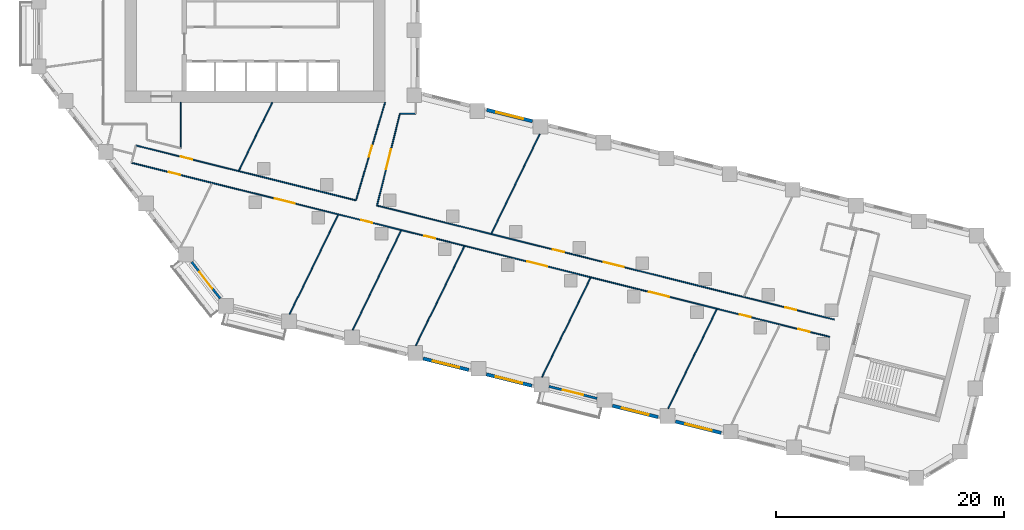
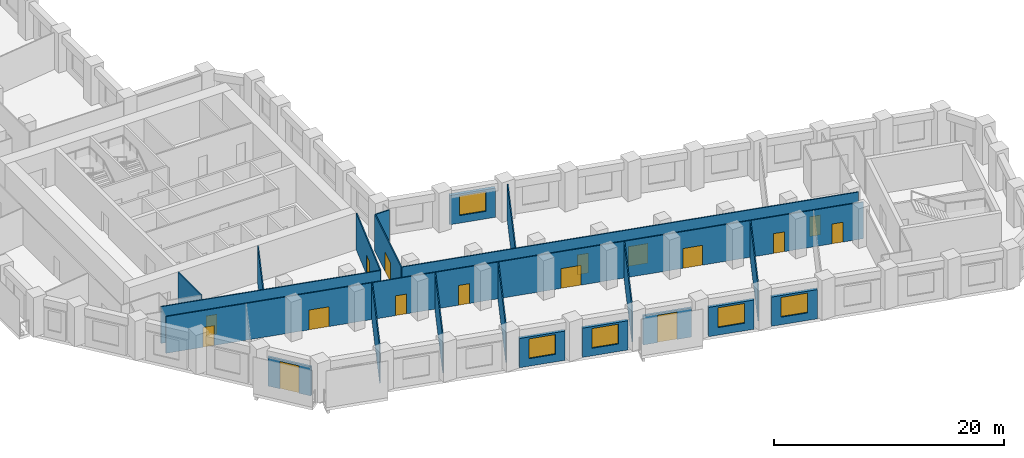
# One storey, part 3 of 11: 21 walls, 16 doors, 5 windows, 21 openings.
"""IFC4 building model written with IfcOpenShell, lengths in metres."""

from ifc_helpers import new_model, si_unit, direction, frame, frame_2d, origin, place, context, subcontext, project, spatial, rectangle, extrude, material, layer, layer_set, type_object, element, fill, save


model = new_model("IFC4")

# Units and contexts
model_context = context("Model", 3, precision=1e-05, world=origin(), true_north=direction((0.0, 1.0)))
body_context = subcontext(model_context, "Body", "Model", "MODEL_VIEW")
ifc_project = project(units=[si_unit("LENGTHUNIT", "METRE"), si_unit("AREAUNIT", "SQUARE_METRE"), si_unit("VOLUMEUNIT", "CUBIC_METRE"), si_unit("PLANEANGLEUNIT", "RADIAN"), si_unit("MASSUNIT", "GRAM", prefix="KILO")], contexts=[model_context])

# Site, building, storey
site_placement = place(None, origin())
site = spatial("IfcSite", under=ifc_project, at=site_placement, CompositionType="ELEMENT")
building_placement = place(site_placement, origin())
building = spatial("IfcBuilding", under=site, at=building_placement, Name="Meshkara Civic Tower", CompositionType="ELEMENT")
storey_placement = place(building_placement, frame((0.0, 0.0, 101.39990234375)))
storey = spatial("IfcBuildingStorey", under=building, at=storey_placement, Name="L22", CompositionType="ELEMENT", Elevation=101.39990234375)

# Wall, openings, doors
ifc_material_1 = material(Name="Corridor wall 100")
ifc_layer_1 = layer(ifc_material_1, 0.10009765625)
ifc_layer_set_1 = layer_set([ifc_layer_1], Name="Corridor wall 100")
wall_type_1 = type_object("IfcWallType", Name="Corridor wall 100", PredefinedType="PARTITIONING", material=ifc_layer_set_1)
wall_1_placement = place(storey_placement, frame((8.5791015625, 8.802978515625, 0.0), z_axis=(0.0, 0.0, 1.0), x_axis=(0.9702968999, -0.241917188404, 0.0)))
wall_1 = element("IfcWall", 1, at=wall_1_placement, inside=storey, type_object=wall_type_1, Name="L22-W006", PredefinedType="PARTITIONING", context=body_context, shape_type="SweptSolid", body=[
    extrude(rectangle(XDim=63.075439453125, YDim=0.10009765625, at=frame_2d((31.53759765625, 0.0))), origin(), (0.0, 0.0, 1.0), 3.900146484375),
])
opening_1_placement = place(wall_1_placement, frame((35.743896484375, 0.0, 0.0)))
opening_1 = element("IfcOpeningElement", 2, at=opening_1_placement, cuts=wall_1, Name="Opening L22-D002", PredefinedType="OPENING", context=body_context, shape_type="SweptSolid", body=[
    extrude(rectangle(XDim=1.800048828125, YDim=2.10009765625, at=frame_2d((0.89990234375, 1.050048828125))), frame((0.0, 0.06005859375, 0.0), z_axis=(0.0, -1.0, 0.0), x_axis=(1.0, 0.0, 0.0)), (0.0, 0.0, 1.0), 0.1201171875),
])
opening_2_placement = place(wall_1_placement, frame((46.743896484375, 0.0, 0.0)))
opening_2 = element("IfcOpeningElement", 3, at=opening_2_placement, cuts=wall_1, Name="Opening L22-D004", PredefinedType="OPENING", context=body_context, shape_type="SweptSolid", body=[
    extrude(rectangle(XDim=1.800048828125, YDim=2.10009765625, at=frame_2d((0.89990234375, 1.050048828125))), frame((0.0, 0.06005859375, 0.0), z_axis=(0.0, -1.0, 0.0), x_axis=(1.0, 0.0, 0.0)), (0.0, 0.0, 1.0), 0.1201171875),
])
opening_3_placement = place(wall_1_placement, frame((54.945068359375, 0.0, 0.0)))
opening_3 = element("IfcOpeningElement", 4, at=opening_3_placement, cuts=wall_1, Name="Opening L22-D005", PredefinedType="OPENING", context=body_context, shape_type="SweptSolid", body=[
    extrude(rectangle(XDim=1.0, YDim=2.10009765625, at=frame_2d((0.5, 1.050048828125))), frame((0.0, 0.06005859375, 0.0), z_axis=(0.0, -1.0, 0.0), x_axis=(1.0, 0.0, 0.0)), (0.0, 0.0, 1.0), 0.1201171875),
])
opening_4_placement = place(wall_1_placement, frame((60.243896484375, 0.0, 0.0)))
opening_4 = element("IfcOpeningElement", 5, at=opening_4_placement, cuts=wall_1, Name="Opening L22-D007", PredefinedType="OPENING", context=body_context, shape_type="SweptSolid", body=[
    extrude(rectangle(XDim=1.0, YDim=2.10009765625, at=frame_2d((0.5, 1.050048828125))), frame((0.0, 0.06005859375, 0.0), z_axis=(0.0, -1.0, 0.0), x_axis=(1.0, 0.0, 0.0)), (0.0, 0.0, 1.0), 0.1201171875),
])
opening_5_placement = place(wall_1_placement, frame((12.944091796875, 0.0, 0.0)))
opening_5 = element("IfcOpeningElement", 6, at=opening_5_placement, cuts=wall_1, Name="Opening L22-D008", PredefinedType="OPENING", context=body_context, shape_type="SweptSolid", body=[
    extrude(rectangle(XDim=1.800048828125, YDim=2.10009765625, at=frame_2d((0.89990234375, 1.050048828125))), frame((0.0, 0.06005859375, 0.0), z_axis=(0.0, -1.0, 0.0), x_axis=(1.0, 0.0, 0.0)), (0.0, 0.0, 1.0), 0.1201171875),
])
opening_6_placement = place(wall_1_placement, frame((20.743896484375, 0.0, 0.0)))
opening_6 = element("IfcOpeningElement", 7, at=opening_6_placement, cuts=wall_1, Name="Opening L22-D009", PredefinedType="OPENING", context=body_context, shape_type="SweptSolid", body=[
    extrude(rectangle(XDim=1.0, YDim=2.10009765625, at=frame_2d((0.5, 1.050048828125))), frame((0.0, 0.06005859375, 0.0), z_axis=(0.0, -1.0, 0.0), x_axis=(1.0, 0.0, 0.0)), (0.0, 0.0, 1.0), 0.1201171875),
])
opening_7_placement = place(wall_1_placement, frame((26.444091796875, 0.0, 0.0)))
opening_7 = element("IfcOpeningElement", 8, at=opening_7_placement, cuts=wall_1, Name="Opening L22-D010", PredefinedType="OPENING", context=body_context, shape_type="SweptSolid", body=[
    extrude(rectangle(XDim=1.0, YDim=2.10009765625, at=frame_2d((0.5, 1.050048828125))), frame((0.0, 0.06005859375, 0.0), z_axis=(0.0, -1.0, 0.0), x_axis=(1.0, 0.0, 0.0)), (0.0, 0.0, 1.0), 0.1201171875),
])
opening_8_placement = place(wall_1_placement, frame((3.3798828125, 0.0, 0.0)))
opening_8 = element("IfcOpeningElement", 9, at=opening_8_placement, cuts=wall_1, Name="Opening L22-D014", PredefinedType="OPENING", context=body_context, shape_type="SweptSolid", body=[
    extrude(rectangle(XDim=1.0, YDim=2.10009765625, at=frame_2d((0.5, 1.050048828125))), frame((0.0, 0.06005859375, 0.0), z_axis=(0.0, -1.0, 0.0), x_axis=(1.0, 0.0, 0.0)), (0.0, 0.0, 1.0), 0.1201171875),
])
ifc_material_2 = material(Name="Door 1000 x 2100")
door_type_1 = type_object("IfcDoorType", Name="Door 1000 x 2100", OperationType="SINGLE_SWING_LEFT", PredefinedType="DOOR", material=ifc_material_2)
door_1_placement = place(opening_3_placement, origin())
door_1 = element("IfcDoor", 10, at=door_1_placement, inside=storey, type_object=door_type_1, Name="L22-D005", OperationType="SINGLE_SWING_RIGHT", OverallHeight=2.10009765625, OverallWidth=1.0, PredefinedType="DOOR", context=body_context, shape_type="SweptSolid", body=[
    extrude(rectangle(XDim=1.0, YDim=2.10009765625, at=frame_2d((0.5, 1.050048828125))), frame((0.0, 0.02490234375, 0.0), z_axis=(0.0, -1.0, 0.0), x_axis=(1.0, 0.0, 0.0)), (0.0, 0.0, 1.0), 0.050048828125),
])
fill(opening_3, door_1)
door_2_placement = place(opening_4_placement, origin())
door_2 = element("IfcDoor", 11, at=door_2_placement, inside=storey, type_object=door_type_1, Name="L22-D007", OperationType="SINGLE_SWING_RIGHT", OverallHeight=2.10009765625, OverallWidth=1.0, PredefinedType="DOOR", context=body_context, shape_type="SweptSolid", body=[
    extrude(rectangle(XDim=1.0, YDim=2.10009765625, at=frame_2d((0.5, 1.050048828125))), frame((0.0, 0.02490234375, 0.0), z_axis=(0.0, -1.0, 0.0), x_axis=(1.0, 0.0, 0.0)), (0.0, 0.0, 1.0), 0.050048828125),
])
fill(opening_4, door_2)
door_3_placement = place(opening_6_placement, origin())
door_3 = element("IfcDoor", 12, at=door_3_placement, inside=storey, type_object=door_type_1, Name="L22-D009", OperationType="SINGLE_SWING_RIGHT", OverallHeight=2.10009765625, OverallWidth=1.0, PredefinedType="DOOR", context=body_context, shape_type="SweptSolid", body=[
    extrude(rectangle(XDim=1.0, YDim=2.10009765625, at=frame_2d((0.5, 1.050048828125))), frame((0.0, 0.02490234375, 0.0), z_axis=(0.0, -1.0, 0.0), x_axis=(1.0, 0.0, 0.0)), (0.0, 0.0, 1.0), 0.050048828125),
])
fill(opening_6, door_3)
door_4_placement = place(opening_7_placement, origin())
door_4 = element("IfcDoor", 13, at=door_4_placement, inside=storey, type_object=door_type_1, Name="L22-D010", OperationType="SINGLE_SWING_RIGHT", OverallHeight=2.10009765625, OverallWidth=1.0, PredefinedType="DOOR", context=body_context, shape_type="SweptSolid", body=[
    extrude(rectangle(XDim=1.0, YDim=2.10009765625, at=frame_2d((0.5, 1.050048828125))), frame((0.0, 0.02490234375, 0.0), z_axis=(0.0, -1.0, 0.0), x_axis=(1.0, 0.0, 0.0)), (0.0, 0.0, 1.0), 0.050048828125),
])
fill(opening_7, door_4)
door_5_placement = place(opening_8_placement, origin())
door_5 = element("IfcDoor", 14, at=door_5_placement, inside=storey, type_object=door_type_1, Name="L22-D014", OperationType="SINGLE_SWING_LEFT", OverallHeight=2.10009765625, OverallWidth=1.0, PredefinedType="DOOR", context=body_context, shape_type="SweptSolid", body=[
    extrude(rectangle(XDim=1.0, YDim=2.10009765625, at=frame_2d((0.5, 1.050048828125))), frame((0.0, 0.02490234375, 0.0), z_axis=(0.0, -1.0, 0.0), x_axis=(1.0, 0.0, 0.0)), (0.0, 0.0, 1.0), 0.050048828125),
])
fill(opening_8, door_5)
ifc_material_3 = material(Name="Door pair 1800 x 2100")
door_type_2 = type_object("IfcDoorType", Name="Door pair 1800 x 2100", OperationType="SINGLE_SWING_LEFT", PredefinedType="DOOR", material=ifc_material_3)
door_6_placement = place(opening_1_placement, origin())
door_6 = element("IfcDoor", 15, at=door_6_placement, inside=storey, type_object=door_type_2, Name="L22-D002", OperationType="DOUBLE_DOOR_SINGLE_SWING", OverallHeight=2.10009765625, OverallWidth=1.800048828125, PredefinedType="DOOR", context=body_context, shape_type="SweptSolid", body=[
    extrude(rectangle(XDim=1.800048828125, YDim=2.10009765625, at=frame_2d((0.89990234375, 1.050048828125))), frame((0.0, 0.02490234375, 0.0), z_axis=(0.0, -1.0, 0.0), x_axis=(1.0, 0.0, 0.0)), (0.0, 0.0, 1.0), 0.050048828125),
])
fill(opening_1, door_6)
door_7_placement = place(opening_2_placement, origin())
door_7 = element("IfcDoor", 16, at=door_7_placement, inside=storey, type_object=door_type_2, Name="L22-D004", OperationType="DOUBLE_DOOR_SINGLE_SWING", OverallHeight=2.10009765625, OverallWidth=1.800048828125, PredefinedType="DOOR", context=body_context, shape_type="SweptSolid", body=[
    extrude(rectangle(XDim=1.800048828125, YDim=2.10009765625, at=frame_2d((0.89990234375, 1.050048828125))), frame((0.0, 0.02490234375, 0.0), z_axis=(0.0, -1.0, 0.0), x_axis=(1.0, 0.0, 0.0)), (0.0, 0.0, 1.0), 0.050048828125),
])
fill(opening_2, door_7)
door_8_placement = place(opening_5_placement, origin())
door_8 = element("IfcDoor", 17, at=door_8_placement, inside=storey, type_object=door_type_2, Name="L22-D008", OperationType="DOUBLE_DOOR_SINGLE_SWING", OverallHeight=2.10009765625, OverallWidth=1.800048828125, PredefinedType="DOOR", context=body_context, shape_type="SweptSolid", body=[
    extrude(rectangle(XDim=1.800048828125, YDim=2.10009765625, at=frame_2d((0.89990234375, 1.050048828125))), frame((0.0, 0.02490234375, 0.0), z_axis=(0.0, -1.0, 0.0), x_axis=(1.0, 0.0, 0.0)), (0.0, 0.0, 1.0), 0.050048828125),
])
fill(opening_5, door_8)

# Wall, opening, door
wall_2_placement = place(storey_placement, frame((8.9580078125, 10.322998046875, 0.0), z_axis=(0.0, 0.0, 1.0), x_axis=(0.970298340477, -0.241911410372, 0.0)))
wall_2 = element("IfcWall", 18, at=wall_2_placement, inside=storey, type_object=wall_type_1, Name="L22-W007", PredefinedType="PARTITIONING", context=body_context, shape_type="SweptSolid", body=[
    extrude(rectangle(XDim=19.879638671875, YDim=0.10009765625, at=frame_2d((9.93994140625, 0.0))), origin(), (0.0, 0.0, 1.0), 3.900146484375),
])
opening_9_placement = place(wall_2_placement, frame((4.080078125, 0.0, 0.0)))
opening_9 = element("IfcOpeningElement", 19, at=opening_9_placement, cuts=wall_2, Name="Opening L22-D015", PredefinedType="OPENING", context=body_context, shape_type="SweptSolid", body=[
    extrude(rectangle(XDim=1.0, YDim=2.10009765625, at=frame_2d((0.5, 1.050048828125))), frame((0.0, 0.06005859375, 0.0), z_axis=(0.0, -1.0, 0.0), x_axis=(1.0, 0.0, 0.0)), (0.0, 0.0, 1.0), 0.1201171875),
])
door_9_placement = place(opening_9_placement, origin())
door_9 = element("IfcDoor", 20, at=door_9_placement, inside=storey, type_object=door_type_1, Name="L22-D015", OperationType="SINGLE_SWING_LEFT", OverallHeight=2.10009765625, OverallWidth=1.0, PredefinedType="DOOR", context=body_context, shape_type="SweptSolid", body=[
    extrude(rectangle(XDim=1.0, YDim=2.10009765625, at=frame_2d((0.5, 1.050048828125))), frame((0.0, 0.02490234375, 0.0), z_axis=(0.0, -1.0, 0.0), x_axis=(1.0, 0.0, 0.0)), (0.0, 0.0, 1.0), 0.050048828125),
])
fill(opening_9, door_9)

# Wall
wall_3_placement = place(storey_placement, frame((12.89990234375, 10.077880859375, 0.0), z_axis=(0.0, 0.0, 1.0), x_axis=(0.0, 1.0, 0.0)))
element("IfcWall", 21, at=wall_3_placement, inside=storey, type_object=wall_type_1, Name="L22-W014", PredefinedType="PARTITIONING", context=body_context, shape_type="SweptSolid", body=[
    extrude(rectangle(XDim=4.022216796875, YDim=0.10009765625, at=frame_2d((2.01123046875, 0.0))), origin(), (0.0, 0.0, 1.0), 3.900146484375),
])

# Wall, openings, doors
wall_4_placement = place(storey_placement, frame((30.091064453125, 5.053955078125, 0.0), z_axis=(0.0, 0.0, 1.0), x_axis=(0.970297406124, -0.241915157999, 0.0)))
wall_4 = element("IfcWall", 22, at=wall_4_placement, inside=storey, type_object=wall_type_1, Name="L22-W020", PredefinedType="PARTITIONING", context=body_context, shape_type="SweptSolid", body=[
    extrude(rectangle(XDim=41.29541015625, YDim=0.10009765625, at=frame_2d((20.647705078125, 0.0))), origin(), (0.0, 0.0, 1.0), 3.900146484375),
])
opening_10_placement = place(wall_4_placement, frame((20.488037109375, 0.0, 0.0)))
opening_10 = element("IfcOpeningElement", 23, at=opening_10_placement, cuts=wall_4, Name="Opening L22-D003", PredefinedType="OPENING", context=body_context, shape_type="SweptSolid", body=[
    extrude(rectangle(XDim=1.800048828125, YDim=2.10009765625, at=frame_2d((0.89990234375, 1.050048828125))), frame((0.0, 0.06005859375, 0.0), z_axis=(0.0, -1.0, 0.0), x_axis=(1.0, 0.0, 0.0)), (0.0, 0.0, 1.0), 0.1201171875),
])
opening_11_placement = place(wall_4_placement, frame((36.886962890625, 0.0, 0.0)))
opening_11 = element("IfcOpeningElement", 24, at=opening_11_placement, cuts=wall_4, Name="Opening L22-D006", PredefinedType="OPENING", context=body_context, shape_type="SweptSolid", body=[
    extrude(rectangle(XDim=1.0, YDim=2.10009765625, at=frame_2d((0.5, 1.050048828125))), frame((0.0, 0.06005859375, 0.0), z_axis=(0.0, -1.0, 0.0), x_axis=(1.0, 0.0, 0.0)), (0.0, 0.0, 1.0), 0.1201171875),
])
opening_12_placement = place(wall_4_placement, frame((15.887939453125, 0.0, 0.0)))
opening_12 = element("IfcOpeningElement", 25, at=opening_12_placement, cuts=wall_4, Name="Opening L22-D011", PredefinedType="OPENING", context=body_context, shape_type="SweptSolid", body=[
    extrude(rectangle(XDim=1.0, YDim=2.10009765625, at=frame_2d((0.5, 1.050048828125))), frame((0.0, 0.06005859375, 0.0), z_axis=(0.0, -1.0, 0.0), x_axis=(1.0, 0.0, 0.0)), (0.0, 0.0, 1.0), 0.1201171875),
])
door_10_placement = place(opening_11_placement, origin())
door_10 = element("IfcDoor", 26, at=door_10_placement, inside=storey, type_object=door_type_1, Name="L22-D006", OperationType="SINGLE_SWING_RIGHT", OverallHeight=2.10009765625, OverallWidth=1.0, PredefinedType="DOOR", context=body_context, shape_type="SweptSolid", body=[
    extrude(rectangle(XDim=1.0, YDim=2.10009765625, at=frame_2d((0.5, 1.050048828125))), frame((0.0, 0.02490234375, 0.0), z_axis=(0.0, -1.0, 0.0), x_axis=(1.0, 0.0, 0.0)), (0.0, 0.0, 1.0), 0.050048828125),
])
fill(opening_11, door_10)
door_11_placement = place(opening_12_placement, origin())
door_11 = element("IfcDoor", 27, at=door_11_placement, inside=storey, type_object=door_type_1, Name="L22-D011", OperationType="SINGLE_SWING_LEFT", OverallHeight=2.10009765625, OverallWidth=1.0, PredefinedType="DOOR", context=body_context, shape_type="SweptSolid", body=[
    extrude(rectangle(XDim=1.0, YDim=2.10009765625, at=frame_2d((0.5, 1.050048828125))), frame((0.0, 0.02490234375, 0.0), z_axis=(0.0, -1.0, 0.0), x_axis=(1.0, 0.0, 0.0)), (0.0, 0.0, 1.0), 0.050048828125),
])
fill(opening_12, door_11)
door_12_placement = place(opening_10_placement, origin())
door_12 = element("IfcDoor", 28, at=door_12_placement, inside=storey, type_object=door_type_2, Name="L22-D003", OperationType="DOUBLE_DOOR_SINGLE_SWING", OverallHeight=2.10009765625, OverallWidth=1.800048828125, PredefinedType="DOOR", context=body_context, shape_type="SweptSolid", body=[
    extrude(rectangle(XDim=1.800048828125, YDim=2.10009765625, at=frame_2d((0.89990234375, 1.050048828125))), frame((0.0, 0.02490234375, 0.0), z_axis=(0.0, -1.0, 0.0), x_axis=(1.0, 0.0, 0.0)), (0.0, 0.0, 1.0), 0.050048828125),
])
fill(opening_10, door_12)

# Wall, opening, door
wall_5_placement = place(storey_placement, frame((30.091064453125, 5.053955078125, 0.0), z_axis=(0.0, 0.0, 1.0), x_axis=(0.241891322374, 0.970303348526, 0.0)))
wall_5 = element("IfcWall", 29, at=wall_5_placement, inside=storey, type_object=wall_type_1, Name="L22-W021", PredefinedType="PARTITIONING", context=body_context, shape_type="SweptSolid", body=[
    extrude(rectangle(XDim=8.29248046875, YDim=0.10009765625, at=frame_2d((4.146240234375, 0.0))), origin(), (0.0, 0.0, 1.0), 3.900146484375),
])
opening_13_placement = place(wall_5_placement, frame((3.280029296875, 0.0, 0.0)))
opening_13 = element("IfcOpeningElement", 30, at=opening_13_placement, cuts=wall_5, Name="Opening L22-D017", PredefinedType="OPENING", context=body_context, shape_type="SweptSolid", body=[
    extrude(rectangle(XDim=1.800048828125, YDim=2.10009765625, at=frame_2d((0.89990234375, 1.050048828125))), frame((0.0, 0.06005859375, 0.0), z_axis=(0.0, -1.0, 0.0), x_axis=(1.0, 0.0, 0.0)), (0.0, 0.0, 1.0), 0.1201171875),
])
door_13_placement = place(opening_13_placement, origin())
door_13 = element("IfcDoor", 31, at=door_13_placement, inside=storey, type_object=door_type_2, Name="L22-D017", OperationType="DOUBLE_DOOR_SINGLE_SWING", OverallHeight=2.10009765625, OverallWidth=1.800048828125, PredefinedType="DOOR", context=body_context, shape_type="SweptSolid", body=[
    extrude(rectangle(XDim=1.800048828125, YDim=2.10009765625, at=frame_2d((0.89990234375, 1.050048828125))), frame((0.0, 0.02490234375, 0.0), z_axis=(0.0, -1.0, 0.0), x_axis=(1.0, 0.0, 0.0)), (0.0, 0.0, 1.0), 0.050048828125),
])
fill(opening_13, door_13)

wall_6_placement = place(storey_placement, frame((30.800048828125, 14.10009765625, 0.0), z_axis=(0.0, 0.0, 1.0), x_axis=(-0.285004107837, -0.958526295162, 0.0)))
wall_6 = element("IfcWall", 32, at=wall_6_placement, inside=storey, type_object=wall_type_1, Name="L22-W022", PredefinedType="PARTITIONING", context=body_context, shape_type="SweptSolid", body=[
    extrude(rectangle(XDim=8.957763671875, YDim=0.10009765625, at=frame_2d((4.47900390625, 0.0))), origin(), (0.0, 0.0, 1.0), 3.900146484375),
])
opening_14_placement = place(wall_6_placement, frame((3.97998046875, 0.0, 0.0)))
opening_14 = element("IfcOpeningElement", 33, at=opening_14_placement, cuts=wall_6, Name="Opening L22-D016", PredefinedType="OPENING", context=body_context, shape_type="SweptSolid", body=[
    extrude(rectangle(XDim=1.0, YDim=2.10009765625, at=frame_2d((0.5, 1.050048828125))), frame((0.0, 0.06005859375, 0.0), z_axis=(0.0, -1.0, 0.0), x_axis=(1.0, 0.0, 0.0)), (0.0, 0.0, 1.0), 0.1201171875),
])
door_14_placement = place(opening_14_placement, origin())
door_14 = element("IfcDoor", 34, at=door_14_placement, inside=storey, type_object=door_type_1, Name="L22-D016", OperationType="SINGLE_SWING_LEFT", OverallHeight=2.10009765625, OverallWidth=1.0, PredefinedType="DOOR", context=body_context, shape_type="SweptSolid", body=[
    extrude(rectangle(XDim=1.0, YDim=2.10009765625, at=frame_2d((0.5, 1.050048828125))), frame((0.0, 0.02490234375, 0.0), z_axis=(0.0, -1.0, 0.0), x_axis=(1.0, 0.0, 0.0)), (0.0, 0.0, 1.0), 0.050048828125),
])
fill(opening_14, door_14)

# Wall
wall_7_placement = place(storey_placement, frame((32.096923828125, 13.10009765625, 0.0), z_axis=(0.0, 0.0, 1.0), x_axis=(1.0, 0.0, 0.0)))
element("IfcWall", 35, at=wall_7_placement, inside=storey, type_object=wall_type_1, Name="L22-W023", PredefinedType="PARTITIONING", context=body_context, shape_type="SweptSolid", body=[
    extrude(rectangle(XDim=1.403076171875, YDim=0.10009765625, at=frame_2d((0.70166015625, 0.0))), origin(), (0.0, 0.0, 1.0), 3.900146484375),
])

# Wall, opening, window
ifc_material_4 = material(Name="Insulated infill panel with bronze anodised aluminium cladding", Category="aluminium")
ifc_layer_2 = layer(ifc_material_4, 0.300048828125)
ifc_layer_set_2 = layer_set([ifc_layer_2], Name="EXTERNAL INFILL WALL 300")
wall_type_2 = type_object("IfcWallType", Name="EXTERNAL INFILL WALL 300", PredefinedType="SOLIDWALL", material=ifc_layer_set_2)
wall_8_placement = place(storey_placement, frame((43.718994140625, 12.443115234375, 0.0), z_axis=(0.0, 0.0, 1.0), x_axis=(-0.970281650314, 0.241978344205, 0.0)))
wall_8 = element("IfcWall", 36, at=wall_8_placement, inside=storey, type_object=wall_type_2, Name="External wall", PredefinedType="SOLIDWALL", context=body_context, shape_type="SweptSolid", body=[
    extrude(rectangle(XDim=4.12353515625, YDim=0.300048828125, at=frame_2d((2.061767578125, 0.0))), origin(), (0.0, 0.0, 1.0), 3.10009765625),
])
opening_15_placement = place(wall_8_placement, frame((0.862060546875, 0.0, 0.800048828125)))
opening_15 = element("IfcOpeningElement", 37, at=opening_15_placement, cuts=wall_8, Name="Opening W7", PredefinedType="OPENING", context=body_context, shape_type="SweptSolid", body=[
    extrude(rectangle(XDim=2.39990234375, YDim=2.10009765625, at=frame_2d((1.199951171875, 1.050048828125))), frame((0.0, 0.159912109375, 0.0), z_axis=(0.0, -1.0, 0.0), x_axis=(1.0, 0.0, 0.0)), (0.0, 0.0, 1.0), 0.320068359375),
])
ifc_material_5 = material(Name="Tinted double glazing", Category="glass")
window_type = type_object("IfcWindowType", Name="WINDOW 2400x2100", PartitioningType="DOUBLE_PANEL_VERTICAL", PredefinedType="WINDOW", material=ifc_material_5)
window_1_placement = place(opening_15_placement, origin())
window_1 = element("IfcWindow", 38, at=window_1_placement, inside=storey, type_object=window_type, Name="Window", OverallHeight=2.10009765625, OverallWidth=2.39990234375, PartitioningType="DOUBLE_PANEL_VERTICAL", PredefinedType="WINDOW", context=body_context, shape_type="SweptSolid", body=[
    extrude(rectangle(XDim=2.39990234375, YDim=2.10009765625, at=frame_2d((1.199951171875, 1.050048828125))), frame((0.0, 0.030029296875, 0.0), z_axis=(0.0, -1.0, 0.0), x_axis=(1.0, 0.0, 0.0)), (0.0, 0.0, 1.0), 0.06005859375),
])
fill(opening_15, window_1)

wall_9_placement = place(storey_placement, frame((34.135009765625, -8.35595703125, 0.0), z_axis=(0.0, 0.0, 1.0), x_axis=(0.970281616392, -0.241978480223, 0.0)))
wall_9 = element("IfcWall", 39, at=wall_9_placement, inside=storey, type_object=wall_type_2, Name="External wall", PredefinedType="SOLIDWALL", context=body_context, shape_type="SweptSolid", body=[
    extrude(rectangle(XDim=4.12451171875, YDim=0.300048828125, at=frame_2d((2.062255859375, 0.0))), origin(), (0.0, 0.0, 1.0), 3.10009765625),
])
opening_16_placement = place(wall_9_placement, frame((0.862060546875, 0.0, 0.800048828125)))
opening_16 = element("IfcOpeningElement", 40, at=opening_16_placement, cuts=wall_9, Name="Opening W7", PredefinedType="OPENING", context=body_context, shape_type="SweptSolid", body=[
    extrude(rectangle(XDim=2.39990234375, YDim=2.10009765625, at=frame_2d((1.199951171875, 1.050048828125))), frame((0.0, 0.159912109375, 0.0), z_axis=(0.0, -1.0, 0.0), x_axis=(1.0, 0.0, 0.0)), (0.0, 0.0, 1.0), 0.320068359375),
])
window_2_placement = place(opening_16_placement, origin())
window_2 = element("IfcWindow", 41, at=window_2_placement, inside=storey, type_object=window_type, Name="Window", OverallHeight=2.10009765625, OverallWidth=2.39990234375, PartitioningType="DOUBLE_PANEL_VERTICAL", PredefinedType="WINDOW", context=body_context, shape_type="SweptSolid", body=[
    extrude(rectangle(XDim=2.39990234375, YDim=2.10009765625, at=frame_2d((1.199951171875, 1.050048828125))), frame((0.0, 0.030029296875, 0.0), z_axis=(0.0, -1.0, 0.0), x_axis=(1.0, 0.0, 0.0)), (0.0, 0.0, 1.0), 0.06005859375),
])
fill(opening_16, window_2)

wall_10_placement = place(storey_placement, frame((39.666015625, -9.735107421875, 0.0), z_axis=(0.0, 0.0, 1.0), x_axis=(0.97029551261, -0.241922752565, 0.0)))
wall_10 = element("IfcWall", 42, at=wall_10_placement, inside=storey, type_object=wall_type_2, Name="External wall", PredefinedType="SOLIDWALL", context=body_context, shape_type="SweptSolid", body=[
    extrude(rectangle(XDim=4.12451171875, YDim=0.300048828125, at=frame_2d((2.062255859375, 0.0))), origin(), (0.0, 0.0, 1.0), 3.10009765625),
])
opening_17_placement = place(wall_10_placement, frame((0.862060546875, 0.0, 0.800048828125)))
opening_17 = element("IfcOpeningElement", 43, at=opening_17_placement, cuts=wall_10, Name="Opening W7", PredefinedType="OPENING", context=body_context, shape_type="SweptSolid", body=[
    extrude(rectangle(XDim=2.39990234375, YDim=2.10009765625, at=frame_2d((1.199951171875, 1.050048828125))), frame((0.0, 0.159912109375, 0.0), z_axis=(0.0, -1.0, 0.0), x_axis=(1.0, 0.0, 0.0)), (0.0, 0.0, 1.0), 0.320068359375),
])
window_3_placement = place(opening_17_placement, origin())
window_3 = element("IfcWindow", 44, at=window_3_placement, inside=storey, type_object=window_type, Name="Window", OverallHeight=2.10009765625, OverallWidth=2.39990234375, PartitioningType="DOUBLE_PANEL_VERTICAL", PredefinedType="WINDOW", context=body_context, shape_type="SweptSolid", body=[
    extrude(rectangle(XDim=2.39990234375, YDim=2.10009765625, at=frame_2d((1.199951171875, 1.050048828125))), frame((0.0, 0.030029296875, 0.0), z_axis=(0.0, -1.0, 0.0), x_axis=(1.0, 0.0, 0.0)), (0.0, 0.0, 1.0), 0.06005859375),
])
fill(opening_17, window_3)

wall_11_placement = place(storey_placement, frame((50.72705078125, -12.492919921875, 0.0), z_axis=(0.0, 0.0, 1.0), x_axis=(0.970281616392, -0.241978480223, 0.0)))
wall_11 = element("IfcWall", 45, at=wall_11_placement, inside=storey, type_object=wall_type_2, Name="External wall", PredefinedType="SOLIDWALL", context=body_context, shape_type="SweptSolid", body=[
    extrude(rectangle(XDim=4.12451171875, YDim=0.300048828125, at=frame_2d((2.062255859375, 0.0))), origin(), (0.0, 0.0, 1.0), 3.10009765625),
])
opening_18_placement = place(wall_11_placement, frame((0.862060546875, 0.0, 0.800048828125)))
opening_18 = element("IfcOpeningElement", 46, at=opening_18_placement, cuts=wall_11, Name="Opening W7", PredefinedType="OPENING", context=body_context, shape_type="SweptSolid", body=[
    extrude(rectangle(XDim=2.39990234375, YDim=2.10009765625, at=frame_2d((1.199951171875, 1.050048828125))), frame((0.0, 0.159912109375, 0.0), z_axis=(0.0, -1.0, 0.0), x_axis=(1.0, 0.0, 0.0)), (0.0, 0.0, 1.0), 0.320068359375),
])
window_4_placement = place(opening_18_placement, origin())
window_4 = element("IfcWindow", 47, at=window_4_placement, inside=storey, type_object=window_type, Name="Window", OverallHeight=2.10009765625, OverallWidth=2.39990234375, PartitioningType="DOUBLE_PANEL_VERTICAL", PredefinedType="WINDOW", context=body_context, shape_type="SweptSolid", body=[
    extrude(rectangle(XDim=2.39990234375, YDim=2.10009765625, at=frame_2d((1.199951171875, 1.050048828125))), frame((0.0, 0.030029296875, 0.0), z_axis=(0.0, -1.0, 0.0), x_axis=(1.0, 0.0, 0.0)), (0.0, 0.0, 1.0), 0.06005859375),
])
fill(opening_18, window_4)

wall_12_placement = place(storey_placement, frame((56.258056640625, -13.8720703125, 0.0), z_axis=(0.0, 0.0, 1.0), x_axis=(0.970281616392, -0.241978480223, 0.0)))
wall_12 = element("IfcWall", 48, at=wall_12_placement, inside=storey, type_object=wall_type_2, Name="External wall", PredefinedType="SOLIDWALL", context=body_context, shape_type="SweptSolid", body=[
    extrude(rectangle(XDim=4.12451171875, YDim=0.300048828125, at=frame_2d((2.062255859375, 0.0))), origin(), (0.0, 0.0, 1.0), 3.10009765625),
])
opening_19_placement = place(wall_12_placement, frame((0.862060546875, 0.0, 0.800048828125)))
opening_19 = element("IfcOpeningElement", 49, at=opening_19_placement, cuts=wall_12, Name="Opening W7", PredefinedType="OPENING", context=body_context, shape_type="SweptSolid", body=[
    extrude(rectangle(XDim=2.39990234375, YDim=2.10009765625, at=frame_2d((1.199951171875, 1.050048828125))), frame((0.0, 0.159912109375, 0.0), z_axis=(0.0, -1.0, 0.0), x_axis=(1.0, 0.0, 0.0)), (0.0, 0.0, 1.0), 0.320068359375),
])
window_5_placement = place(opening_19_placement, origin())
window_5 = element("IfcWindow", 50, at=window_5_placement, inside=storey, type_object=window_type, Name="Window", OverallHeight=2.10009765625, OverallWidth=2.39990234375, PartitioningType="DOUBLE_PANEL_VERTICAL", PredefinedType="WINDOW", context=body_context, shape_type="SweptSolid", body=[
    extrude(rectangle(XDim=2.39990234375, YDim=2.10009765625, at=frame_2d((1.199951171875, 1.050048828125))), frame((0.0, 0.030029296875, 0.0), z_axis=(0.0, -1.0, 0.0), x_axis=(1.0, 0.0, 0.0)), (0.0, 0.0, 1.0), 0.06005859375),
])
fill(opening_19, window_5)

# Wall, opening, door
ifc_material_6 = material(Name="Insulated infill panel with bronze anodised aluminium cladding", Category="aluminium")
ifc_layer_3 = layer(ifc_material_6, 0.199951171875)
ifc_layer_set_3 = layer_set([ifc_layer_3], Name="LOGGIA BACK WALL 200")
wall_type_3 = type_object("IfcWallType", Name="LOGGIA BACK WALL 200", PredefinedType="SOLIDWALL", material=ifc_layer_set_3)
wall_13_placement = place(storey_placement, frame((13.85009765625, 0.10400390625, 0.0), z_axis=(0.0, 0.0, 1.0), x_axis=(0.615529395526, -0.788113927833, 0.0)))
wall_13 = element("IfcWall", 51, at=wall_13_placement, inside=storey, type_object=wall_type_3, Name="Loggia wall", PredefinedType="SOLIDWALL", context=body_context, shape_type="SweptSolid", body=[
    extrude(rectangle(XDim=4.050048828125, YDim=0.199951171875, at=frame_2d((2.02490234375, 0.0))), origin(), (0.0, 0.0, 1.0), 3.10009765625),
])
opening_20_placement = place(wall_13_placement, frame((1.125, 0.0, 0.0)))
opening_20 = element("IfcOpeningElement", 52, at=opening_20_placement, cuts=wall_13, Name="Opening L22-L003", PredefinedType="OPENING", context=body_context, shape_type="SweptSolid", body=[
    extrude(rectangle(XDim=1.800048828125, YDim=2.89990234375, at=frame_2d((0.89990234375, 1.449951171875))), frame((0.0, 0.10986328125, 0.0), z_axis=(0.0, -1.0, 0.0), x_axis=(1.0, 0.0, 0.0)), (0.0, 0.0, 1.0), 0.219970703125),
])
ifc_material_7 = material(Name="Tinted double glazing", Category="glass")
door_type_3 = type_object("IfcDoorType", Name="LOGGIA DOOR 1800x2900", OperationType="DOUBLE_DOOR_SINGLE_SWING", PredefinedType="DOOR", material=ifc_material_7)
door_15_placement = place(opening_20_placement, origin())
door_15 = element("IfcDoor", 53, at=door_15_placement, inside=storey, type_object=door_type_3, Name="L22-L003", OperationType="DOUBLE_DOOR_SINGLE_SWING", OverallHeight=2.89990234375, OverallWidth=1.800048828125, PredefinedType="DOOR", context=body_context, shape_type="SweptSolid", body=[
    extrude(rectangle(XDim=1.800048828125, YDim=2.89990234375, at=frame_2d((0.89990234375, 1.449951171875))), frame((0.0, 0.02490234375, 0.0), z_axis=(0.0, -1.0, 0.0), x_axis=(1.0, 0.0, 0.0)), (0.0, 0.0, 1.0), 0.050048828125),
])
fill(opening_20, door_15)

wall_14_placement = place(storey_placement, frame((45.155029296875, -10.794921875, 0.0), z_axis=(0.0, 0.0, 1.0), x_axis=(0.970320133294, -0.241823983352, 0.0)))
wall_14 = element("IfcWall", 54, at=wall_14_placement, inside=storey, type_object=wall_type_3, Name="Loggia wall", PredefinedType="SOLIDWALL", context=body_context, shape_type="SweptSolid", body=[
    extrude(rectangle(XDim=4.359375, YDim=0.199951171875, at=frame_2d((2.1796875, 0.0))), origin(), (0.0, 0.0, 1.0), 3.10009765625),
])
opening_21_placement = place(wall_14_placement, frame((1.279052734375, 0.0, 0.0)))
opening_21 = element("IfcOpeningElement", 55, at=opening_21_placement, cuts=wall_14, Name="Opening L22-L005", PredefinedType="OPENING", context=body_context, shape_type="SweptSolid", body=[
    extrude(rectangle(XDim=1.800048828125, YDim=2.89990234375, at=frame_2d((0.89990234375, 1.449951171875))), frame((0.0, 0.10986328125, 0.0), z_axis=(0.0, -1.0, 0.0), x_axis=(1.0, 0.0, 0.0)), (0.0, 0.0, 1.0), 0.219970703125),
])
door_16_placement = place(opening_21_placement, origin())
door_16 = element("IfcDoor", 56, at=door_16_placement, inside=storey, type_object=door_type_3, Name="L22-L005", OperationType="DOUBLE_DOOR_SINGLE_SWING", OverallHeight=2.89990234375, OverallWidth=1.800048828125, PredefinedType="DOOR", context=body_context, shape_type="SweptSolid", body=[
    extrude(rectangle(XDim=1.800048828125, YDim=2.89990234375, at=frame_2d((0.89990234375, 1.449951171875))), frame((0.0, 0.02490234375, 0.0), z_axis=(0.0, -1.0, 0.0), x_axis=(1.0, 0.0, 0.0)), (0.0, 0.0, 1.0), 0.050048828125),
])
fill(opening_21, door_16)

# Walls
ifc_material_8 = material(Name="Partition 100")
ifc_layer_4 = layer(ifc_material_8, 0.10009765625)
ifc_layer_set_4 = layer_set([ifc_layer_4], Name="Partition 100")
wall_type_4 = type_object("IfcWallType", Name="Partition 100", PredefinedType="PARTITIONING", material=ifc_layer_set_4)
wall_15_placement = place(storey_placement, frame((17.9970703125, 8.131103515625, 0.0), z_axis=(0.0, 0.0, 1.0), x_axis=(0.438324399474, 0.898816844983, 0.0)))
element("IfcWall", 57, at=wall_15_placement, inside=storey, type_object=wall_type_4, Name="L22-W039", PredefinedType="PARTITIONING", context=body_context, shape_type="SweptSolid", body=[
    extrude(rectangle(XDim=6.640869140625, YDim=0.10009765625, at=frame_2d((3.3203125, 0.0))), origin(), (0.0, 0.0, 1.0), 3.900146484375),
])
for number, where, z_axis, x_axis, name in (
    (58, (22.43310546875, -4.467041015625, 0.0), (0.0, 0.0, 1.0), (0.438299845828, 0.898828818601, 0.0), "L22-W043"),
    (59, (27.964111328125, -5.845947265625, 0.0), (0.0, 0.0, 1.0), (0.438299845828, 0.898828818601, 0.0), "L22-W044"),
    (60, (33.4951171875, -7.22509765625, 0.0), (0.0, 0.0, 1.0), (0.438299845828, 0.898828818601, 0.0), "L22-W045"),
):
    element("IfcWall", number, at=place(storey_placement, frame(where, z_axis=z_axis, x_axis=x_axis)), inside=storey, type_object=wall_type_4, Name=name, PredefinedType="PARTITIONING", context=body_context, shape_type="SweptSolid", body=[
        extrude(rectangle(XDim=9.676025390625, YDim=0.10009765625, at=frame_2d((4.837890625, 0.0))), origin(), (0.0, 0.0, 1.0), 3.900146484375),
    ])
wall_16_placement = place(storey_placement, frame((40.1201171875, 2.614990234375, 0.0), z_axis=(0.0, 0.0, 1.0), x_axis=(0.438339609777, 0.898809427243, 0.0)))
element("IfcWall", 61, at=wall_16_placement, inside=storey, type_object=wall_type_4, Name="L22-W046", PredefinedType="PARTITIONING", context=body_context, shape_type="SweptSolid", body=[
    extrude(rectangle(XDim=9.675048828125, YDim=0.10009765625, at=frame_2d((4.83740234375, 0.0))), origin(), (0.0, 0.0, 1.0), 3.900146484375),
])
wall_17_placement = place(storey_placement, frame((44.555908203125, -9.98193359375, 0.0), z_axis=(0.0, 0.0, 1.0), x_axis=(0.438359994928, 0.89879948534, 0.0)))
element("IfcWall", 62, at=wall_17_placement, inside=storey, type_object=wall_type_4, Name="L22-W047", PredefinedType="PARTITIONING", context=body_context, shape_type="SweptSolid", body=[
    extrude(rectangle(XDim=9.67529296875, YDim=0.10009765625, at=frame_2d((4.837646484375, 0.0))), origin(), (0.0, 0.0, 1.0), 3.900146484375),
])
wall_18_placement = place(storey_placement, frame((55.617919921875, -12.739990234375, 0.0), z_axis=(0.0, 0.0, 1.0), x_axis=(0.438339609777, 0.898809427243, 0.0)))
element("IfcWall", 63, at=wall_18_placement, inside=storey, type_object=wall_type_4, Name="L22-W048", PredefinedType="PARTITIONING", context=body_context, shape_type="SweptSolid", body=[
    extrude(rectangle(XDim=9.675048828125, YDim=0.10009765625, at=frame_2d((4.83740234375, 0.0))), origin(), (0.0, 0.0, 1.0), 3.900146484375),
])

save(model, "model.ifc")
